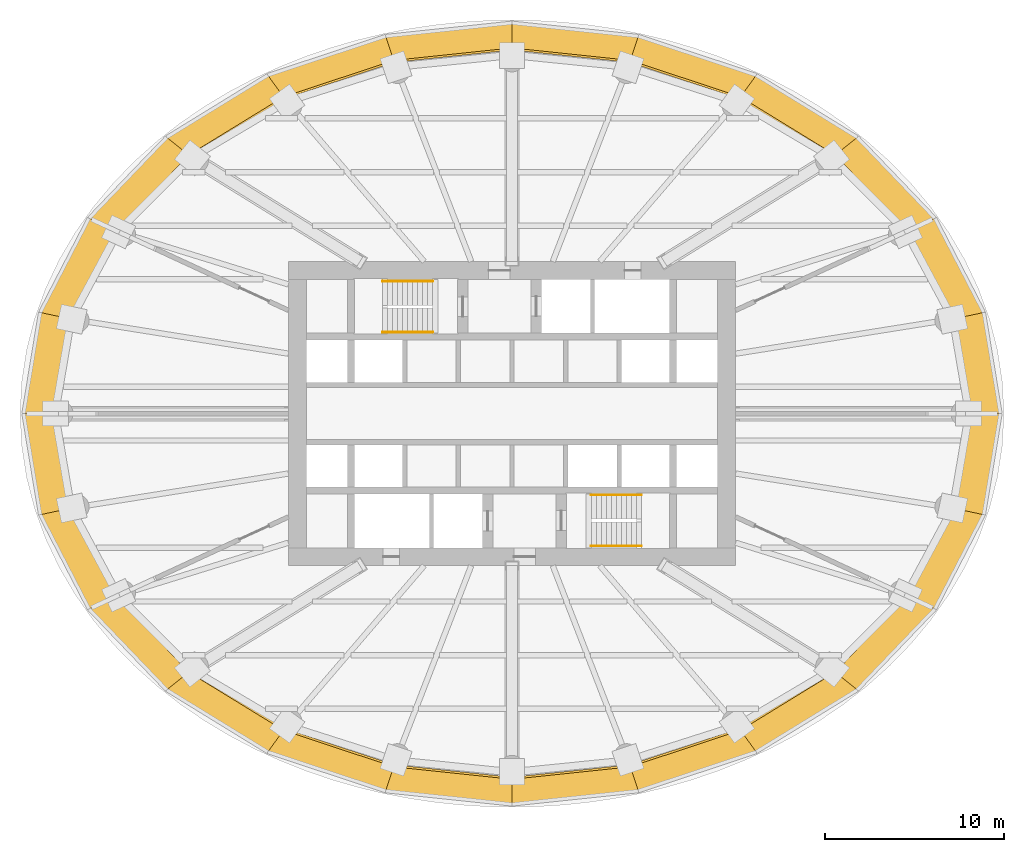
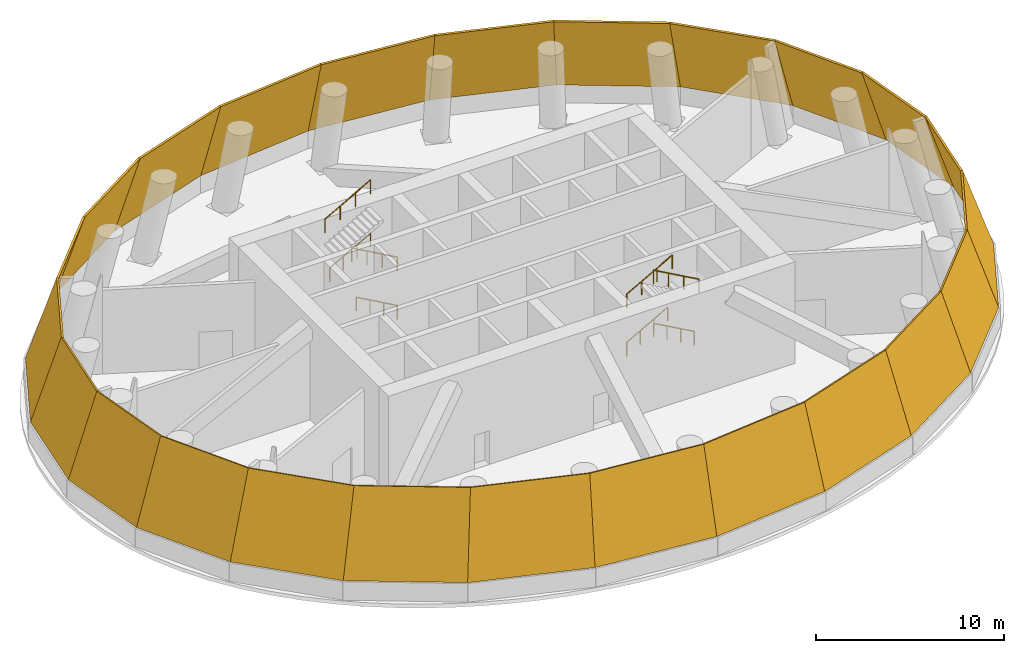
# One storey, part 7 of 7: 24 shading devices, 8 railings.
"""IFC4 building model written with IfcOpenShell, lengths in metres."""

from ifc_helpers import new_model, si_unit, direction, frame, origin, origin_2d, place, context, subcontext, project, spatial, polyline, circle, outline, extrude, material, layer, layer_set, type_object, element, save


model = new_model("IFC4")

# Units and contexts
model_context = context("Model", 3, precision=1e-05, world=origin(), true_north=direction((0.0, 1.0)))
body_context = subcontext(model_context, "Body", "Model", "MODEL_VIEW")
ifc_project = project(units=[si_unit("LENGTHUNIT", "METRE"), si_unit("AREAUNIT", "SQUARE_METRE"), si_unit("VOLUMEUNIT", "CUBIC_METRE"), si_unit("PLANEANGLEUNIT", "RADIAN"), si_unit("MASSUNIT", "GRAM", prefix="KILO")], contexts=[model_context])

# Site, building, storey
site_placement = place(None, origin())
site = spatial("IfcSite", under=ifc_project, at=site_placement, CompositionType="ELEMENT")
building_placement = place(site_placement, origin())
building = spatial("IfcBuilding", under=site, at=building_placement, Name="Hankou Lantern Tower", CompositionType="ELEMENT")
storey_placement = place(building_placement, frame((0.0, 0.0, 93.60009765625)))
storey = spatial("IfcBuildingStorey", under=building, at=storey_placement, Name="L24", CompositionType="ELEMENT", Elevation=93.60009765625)

# Railings
ifc_material_1 = material(Name="Steel handrail", Category="steel")
railing_type = type_object("IfcRailingType", Name="HR1 STAIR HANDRAIL", PredefinedType="HANDRAIL", material=ifc_material_1)
railing_1_placement = place(storey_placement, frame((-4.429931640625, 4.550048828125, 0.89990234375)))
element("IfcRailing", 1, at=railing_1_placement, inside=storey, type_object=railing_type, Name="Handrail stair STA L24 flight 1", PredefinedType="HANDRAIL", context=body_context, shape_type="SweptSolid", body=[
    extrude(circle(Radius=0.02392578125, at=origin_2d()), frame((0.0, 0.0, 0.8759765625), z_axis=(-0.872048945198, 0.0, 0.489418672692), x_axis=(0.0, -1.0, 0.0)), (0.0, 0.0, 1.0), 2.8896484375),
    extrude(circle(Radius=0.02099609375, at=origin_2d()), origin(), (0.0, 0.0, 1.0), 0.851806640625),
    extrude(circle(Radius=0.02099609375, at=origin_2d()), frame((-0.840087890625, 0.0, 0.471435546875)), (0.0, 0.0, 1.0), 0.851806640625),
    extrude(circle(Radius=0.02099609375, at=origin_2d()), frame((-1.679931640625, 0.0, 0.94287109375)), (0.0, 0.0, 1.0), 0.851806640625),
    extrude(circle(Radius=0.02099609375, at=origin_2d()), frame((-2.52001953125, 0.0, 1.414306640625)), (0.0, 0.0, 1.0), 0.851806640625),
])
railing_2_placement = place(storey_placement, frame((-6.949951171875, 7.39990234375, 2.471435546875)))
element("IfcRailing", 2, at=railing_2_placement, inside=storey, type_object=railing_type, Name="Handrail stair STA L24 flight 2", PredefinedType="HANDRAIL", context=body_context, shape_type="SweptSolid", body=[
    extrude(circle(Radius=0.02392578125, at=origin_2d()), frame((0.0, 0.0, 0.8759765625), z_axis=(0.872085002053, 0.0, 0.489354420838), x_axis=(0.0, 1.0, 0.0)), (0.0, 0.0, 1.0), 2.8896484375),
    extrude(circle(Radius=0.02099609375, at=origin_2d()), origin(), (0.0, 0.0, 1.0), 0.851806640625),
    extrude(circle(Radius=0.02099609375, at=origin_2d()), frame((0.840087890625, 0.0, 0.471435546875)), (0.0, 0.0, 1.0), 0.851806640625),
    extrude(circle(Radius=0.02099609375, at=origin_2d()), frame((1.679931640625, 0.0, 0.942626953125)), (0.0, 0.0, 1.0), 0.851806640625),
    extrude(circle(Radius=0.02099609375, at=origin_2d()), frame((2.52001953125, 0.0, 1.4140625)), (0.0, 0.0, 1.0), 0.851806640625),
])
railing_3_placement = place(storey_placement, frame((-4.429931640625, 4.550048828125, 4.042724609375)))
element("IfcRailing", 3, at=railing_3_placement, inside=storey, type_object=railing_type, Name="Handrail stair STA L24 flight 3", PredefinedType="HANDRAIL", context=body_context, shape_type="SweptSolid", body=[
    extrude(circle(Radius=0.02392578125, at=origin_2d()), frame((0.0, 0.0, 0.8759765625), z_axis=(-0.872040151574, 0.0, 0.489434340891), x_axis=(0.0, -1.0, 0.0)), (0.0, 0.0, 1.0), 3.2109375),
    extrude(circle(Radius=0.02099609375, at=origin_2d()), origin(), (0.0, 0.0, 1.0), 0.851806640625),
    extrude(circle(Radius=0.02099609375, at=origin_2d()), frame((-0.933349609375, 0.0, 0.52392578125)), (0.0, 0.0, 1.0), 0.851806640625),
    extrude(circle(Radius=0.02099609375, at=origin_2d()), frame((-1.86669921875, 0.0, 1.047607421875)), (0.0, 0.0, 1.0), 0.851806640625),
    extrude(circle(Radius=0.02099609375, at=origin_2d()), frame((-2.800048828125, 0.0, 1.571533203125)), (0.0, 0.0, 1.0), 0.851806640625),
])
railing_4_placement = place(storey_placement, frame((-7.22998046875, 7.39990234375, 5.771240234375)))
element("IfcRailing", 4, at=railing_4_placement, inside=storey, type_object=railing_type, Name="Handrail stair STA L24 flight 4", PredefinedType="HANDRAIL", context=body_context, shape_type="SweptSolid", body=[
    extrude(circle(Radius=0.02392578125, at=origin_2d()), frame((0.0, 0.0, 0.8759765625), z_axis=(0.872040151574, 0.0, 0.489434340891), x_axis=(0.0, 1.0, 0.0)), (0.0, 0.0, 1.0), 3.2109375),
    extrude(circle(Radius=0.02099609375, at=origin_2d()), origin(), (0.0, 0.0, 1.0), 0.851806640625),
    extrude(circle(Radius=0.02099609375, at=origin_2d()), frame((0.933349609375, 0.0, 0.52392578125)), (0.0, 0.0, 1.0), 0.851806640625),
    extrude(circle(Radius=0.02099609375, at=origin_2d()), frame((1.86669921875, 0.0, 1.047607421875)), (0.0, 0.0, 1.0), 0.851806640625),
    extrude(circle(Radius=0.02099609375, at=origin_2d()), frame((2.800048828125, 0.0, 1.571533203125)), (0.0, 0.0, 1.0), 0.851806640625),
])
railing_5_placement = place(storey_placement, frame((4.429931640625, -4.550048828125, 0.89990234375)))
element("IfcRailing", 5, at=railing_5_placement, inside=storey, type_object=railing_type, Name="Handrail stair STB L24 flight 1", PredefinedType="HANDRAIL", context=body_context, shape_type="SweptSolid", body=[
    extrude(circle(Radius=0.02392578125, at=origin_2d()), frame((0.0, 0.0, 0.8759765625), z_axis=(0.872048945198, 0.0, 0.489418672692), x_axis=(0.0, 1.0, 0.0)), (0.0, 0.0, 1.0), 2.8896484375),
    extrude(circle(Radius=0.02099609375, at=origin_2d()), origin(), (0.0, 0.0, 1.0), 0.851806640625),
    extrude(circle(Radius=0.02099609375, at=origin_2d()), frame((0.840087890625, 0.0, 0.471435546875)), (0.0, 0.0, 1.0), 0.851806640625),
    extrude(circle(Radius=0.02099609375, at=origin_2d()), frame((1.679931640625, 0.0, 0.94287109375)), (0.0, 0.0, 1.0), 0.851806640625),
    extrude(circle(Radius=0.02099609375, at=origin_2d()), frame((2.52001953125, 0.0, 1.414306640625)), (0.0, 0.0, 1.0), 0.851806640625),
])
railing_6_placement = place(storey_placement, frame((6.949951171875, -7.39990234375, 2.471435546875)))
element("IfcRailing", 6, at=railing_6_placement, inside=storey, type_object=railing_type, Name="Handrail stair STB L24 flight 2", PredefinedType="HANDRAIL", context=body_context, shape_type="SweptSolid", body=[
    extrude(circle(Radius=0.02392578125, at=origin_2d()), frame((0.0, 0.0, 0.8759765625), z_axis=(-0.872085002053, 0.0, 0.489354420838), x_axis=(0.0, -1.0, 0.0)), (0.0, 0.0, 1.0), 2.8896484375),
    extrude(circle(Radius=0.02099609375, at=origin_2d()), origin(), (0.0, 0.0, 1.0), 0.851806640625),
    extrude(circle(Radius=0.02099609375, at=origin_2d()), frame((-0.840087890625, 0.0, 0.471435546875)), (0.0, 0.0, 1.0), 0.851806640625),
    extrude(circle(Radius=0.02099609375, at=origin_2d()), frame((-1.679931640625, 0.0, 0.942626953125)), (0.0, 0.0, 1.0), 0.851806640625),
    extrude(circle(Radius=0.02099609375, at=origin_2d()), frame((-2.52001953125, 0.0, 1.4140625)), (0.0, 0.0, 1.0), 0.851806640625),
])
railing_7_placement = place(storey_placement, frame((4.429931640625, -4.550048828125, 4.042724609375)))
element("IfcRailing", 7, at=railing_7_placement, inside=storey, type_object=railing_type, Name="Handrail stair STB L24 flight 3", PredefinedType="HANDRAIL", context=body_context, shape_type="SweptSolid", body=[
    extrude(circle(Radius=0.02392578125, at=origin_2d()), frame((0.0, 0.0, 0.8759765625), z_axis=(0.872040151574, 0.0, 0.489434340891), x_axis=(0.0, 1.0, 0.0)), (0.0, 0.0, 1.0), 3.2109375),
    extrude(circle(Radius=0.02099609375, at=origin_2d()), origin(), (0.0, 0.0, 1.0), 0.851806640625),
    extrude(circle(Radius=0.02099609375, at=origin_2d()), frame((0.933349609375, 0.0, 0.52392578125)), (0.0, 0.0, 1.0), 0.851806640625),
    extrude(circle(Radius=0.02099609375, at=origin_2d()), frame((1.86669921875, 0.0, 1.047607421875)), (0.0, 0.0, 1.0), 0.851806640625),
    extrude(circle(Radius=0.02099609375, at=origin_2d()), frame((2.800048828125, 0.0, 1.571533203125)), (0.0, 0.0, 1.0), 0.851806640625),
])
railing_8_placement = place(storey_placement, frame((7.22998046875, -7.39990234375, 5.771240234375)))
element("IfcRailing", 8, at=railing_8_placement, inside=storey, type_object=railing_type, Name="Handrail stair STB L24 flight 4", PredefinedType="HANDRAIL", context=body_context, shape_type="SweptSolid", body=[
    extrude(circle(Radius=0.02392578125, at=origin_2d()), frame((0.0, 0.0, 0.8759765625), z_axis=(-0.872040151574, 0.0, 0.489434340891), x_axis=(0.0, -1.0, 0.0)), (0.0, 0.0, 1.0), 3.2109375),
    extrude(circle(Radius=0.02099609375, at=origin_2d()), origin(), (0.0, 0.0, 1.0), 0.851806640625),
    extrude(circle(Radius=0.02099609375, at=origin_2d()), frame((-0.933349609375, 0.0, 0.52392578125)), (0.0, 0.0, 1.0), 0.851806640625),
    extrude(circle(Radius=0.02099609375, at=origin_2d()), frame((-1.86669921875, 0.0, 1.047607421875)), (0.0, 0.0, 1.0), 0.851806640625),
    extrude(circle(Radius=0.02099609375, at=origin_2d()), frame((-2.800048828125, 0.0, 1.571533203125)), (0.0, 0.0, 1.0), 0.851806640625),
])

# Shading devices
ifc_material_2 = material(Name="Aluminium, black anodised", Category="aluminium")
ifc_layer = layer(ifc_material_2, 0.1201171875)
ifc_layer_set = layer_set([ifc_layer], Name="Aluminium, black anodised")
shading_device_type = type_object("IfcShadingDeviceType", Name="LV2 EAVE LOUVRE PANEL", PredefinedType="USERDEFINED", material=ifc_layer_set)
shading_device_1_placement = place(storey_placement, frame((27.300048828125, 0.0, 1.199951171875), z_axis=(0.935537436217, 0.153953954075, 0.317911757349), x_axis=(-0.162377638644, 0.986728687364, -1.331385e-06)))
element("IfcShadingDevice", 9, at=shading_device_1_placement, inside=storey, type_object=shading_device_type, Name="Eave louvre R01 L24", ObjectType="EAVE LOUVRE", PredefinedType="USERDEFINED", context=body_context, shape_type="SweptSolid", body=[
    extrude(outline(polyline([(0.0, 0.0), (5.7286103764079535, 0.0), (5.645595072130391, 5.43170505677616), (0.2841540111220885, 5.431689483719538), (0.0, 0.0)])), origin(), (0.0, 0.0, -1.0), 0.1201171875),
])
shading_device_2_placement = place(storey_placement, frame((26.369873046875, 5.652587890625, 1.199951171875), z_axis=(0.844828445003, 0.437432900415, 0.308086604947), x_axis=(-0.459798130331, 0.888023467789, -4.59899e-07)))
element("IfcShadingDevice", 10, at=shading_device_2_placement, inside=storey, type_object=shading_device_type, Name="Eave louvre R02 L24", ObjectType="EAVE LOUVRE", PredefinedType="USERDEFINED", context=body_context, shape_type="SweptSolid", body=[
    extrude(outline(polyline([(0.0, 0.0), (5.9315212967466096, 0.0), (6.006827402664142, 5.413212902161624), (0.4555189763445613, 5.413207351214174), (0.0, 0.0)])), origin(), (0.0, 0.0, -1.0), 0.1201171875),
])
shading_device_3_placement = place(storey_placement, frame((23.642578125, 10.919921875, 1.199951171875), z_axis=(0.690018135451, 0.661834106443, 0.293002710393), x_axis=(-0.692215568089, 0.721690797545, 5.84125e-06)))
element("IfcShadingDevice", 11, at=shading_device_3_placement, inside=storey, type_object=shading_device_type, Name="Eave louvre R03 L24", ObjectType="EAVE LOUVRE", PredefinedType="USERDEFINED", context=body_context, shape_type="SweptSolid", body=[
    extrude(outline(polyline([(0.0, 0.0), (6.267609440094087, -2.220446049250313e-16), (6.40983044135605, 5.386259141663364), (0.544020982782312, 5.386333269347155), (0.0, 0.0)])), origin(), (0.0, 0.0, -1.0), 0.1201171875),
])
shading_device_4_placement = place(storey_placement, frame((19.303955078125, 15.443115234375, 1.199951171875), z_axis=(0.502522487202, 0.818621219069, 0.278083529802), x_axis=(-0.852235404075, 0.523158499905, -4.293749e-06)))
element("IfcShadingDevice", 12, at=shading_device_4_placement, inside=storey, type_object=shading_device_type, Name="Eave louvre R04 L24", ObjectType="EAVE LOUVRE", PredefinedType="USERDEFINED", context=body_context, shape_type="SweptSolid", body=[
    extrude(outline(polyline([(0.0, 0.0), (6.634439481474628, 0.0), (6.745844756217024, 5.361401630875833), (0.536658666236663, 5.361344219076399), (0.0, 0.0)])), origin(), (0.0, 0.0, -1.0), 0.1201171875),
])
shading_device_5_placement = place(storey_placement, frame((13.64990234375, 18.9140625, 1.199951171875), z_axis=(0.303118108704, 0.914821280845, 0.266873446205), x_axis=(-0.949248999608, 0.314525574068, -4.76167e-07)))
element("IfcShadingDevice", 13, at=shading_device_5_placement, inside=storey, type_object=shading_device_type, Name="Eave louvre R05 L24", ObjectType="EAVE LOUVRE", PredefinedType="USERDEFINED", context=body_context, shape_type="SweptSolid", body=[
    extrude(outline(polyline([(0.0, 0.0), (6.936254101636316, 0.0), (6.940817015512212, 5.343713686037333), (0.44925887927222363, 5.3437070515265095), (0.0, 0.0)])), origin(), (0.0, 0.0, -1.0), 0.1201171875),
])
shading_device_6_placement = place(storey_placement, frame((7.065673828125, 21.095703125, 1.199951171875), z_axis=(0.101131288564, 0.960027567672, 0.26099718731), x_axis=(-0.994497207878, 0.104763082796, -2.541988e-06)))
element("IfcShadingDevice", 14, at=shading_device_6_placement, inside=storey, type_object=shading_device_type, Name="Eave louvre R06 L24", ObjectType="EAVE LOUVRE", PredefinedType="USERDEFINED", context=body_context, shape_type="SweptSolid", body=[
    extrude(outline(polyline([(0.0, 0.0), (7.104776936678373, 2.7755575615628914e-17), (6.958080183618709, 5.334827493529938), (0.30870507429414884, 5.334791275298002), (0.0, 0.0)])), origin(), (0.0, 0.0, -1.0), 0.1201171875),
])
shading_device_7_placement = place(storey_placement, frame((0.0, 21.840087890625, 1.199951171875), z_axis=(-0.101131288564, 0.960027567672, 0.26099718731), x_axis=(-0.994497207878, -0.104763082796, 2.541988e-06)))
element("IfcShadingDevice", 15, at=shading_device_7_placement, inside=storey, type_object=shading_device_type, Name="Eave louvre R07 L24", ObjectType="EAVE LOUVRE", PredefinedType="USERDEFINED", context=body_context, shape_type="SweptSolid", body=[
    extrude(outline(polyline([(0.0, 0.0), (7.104776936678373, -2.7755575615628914e-17), (6.796071862384225, 5.334791275298002), (0.14669675305966462, 5.334827493529938), (0.0, 0.0)])), origin(), (0.0, 0.0, -1.0), 0.1201171875),
])
shading_device_8_placement = place(storey_placement, frame((-7.065673828125, 21.095703125, 1.199951171875), z_axis=(-0.303118108704, 0.914821280845, 0.266873446205), x_axis=(-0.949248999608, -0.314525574068, 4.76167e-07)))
element("IfcShadingDevice", 16, at=shading_device_8_placement, inside=storey, type_object=shading_device_type, Name="Eave louvre R08 L24", ObjectType="EAVE LOUVRE", PredefinedType="USERDEFINED", context=body_context, shape_type="SweptSolid", body=[
    extrude(outline(polyline([(0.0, 0.0), (6.936254101636316, 0.0), (6.486995222364093, 5.3437070515265095), (-0.004562913875895548, 5.343713686037333), (0.0, 0.0)])), origin(), (0.0, 0.0, -1.0), 0.1201171875),
])
shading_device_9_placement = place(storey_placement, frame((-13.64990234375, 18.9140625, 1.199951171875), z_axis=(-0.502522487202, 0.818621219069, 0.278083529802), x_axis=(-0.852235404075, -0.523158499905, 4.293749e-06)))
element("IfcShadingDevice", 17, at=shading_device_9_placement, inside=storey, type_object=shading_device_type, Name="Eave louvre R09 L24", ObjectType="EAVE LOUVRE", PredefinedType="USERDEFINED", context=body_context, shape_type="SweptSolid", body=[
    extrude(outline(polyline([(0.0, 0.0), (6.634439481474628, 0.0), (6.0977808152379644, 5.361344219076399), (-0.1114052747423964, 5.361401630875833), (0.0, 0.0)])), origin(), (0.0, 0.0, -1.0), 0.1201171875),
])
shading_device_10_placement = place(storey_placement, frame((-19.303955078125, 15.443115234375, 1.199951171875), z_axis=(-0.690018135451, 0.661834106443, 0.293002710393), x_axis=(-0.692215568089, -0.721690797545, -5.84125e-06)))
element("IfcShadingDevice", 18, at=shading_device_10_placement, inside=storey, type_object=shading_device_type, Name="Eave louvre R10 L24", ObjectType="EAVE LOUVRE", PredefinedType="USERDEFINED", context=body_context, shape_type="SweptSolid", body=[
    extrude(outline(polyline([(0.0, 0.0), (6.267609440094087, 2.220446049250313e-16), (5.7235884573117755, 5.386333269347155), (-0.14222100126196371, 5.386259141663364), (0.0, 0.0)])), origin(), (0.0, 0.0, -1.0), 0.1201171875),
])
shading_device_11_placement = place(storey_placement, frame((-23.642578125, 10.919921875, 1.199951171875), z_axis=(-0.844828445003, 0.437432900415, 0.308086604947), x_axis=(-0.459798130331, -0.888023467789, 4.59899e-07)))
element("IfcShadingDevice", 19, at=shading_device_11_placement, inside=storey, type_object=shading_device_type, Name="Eave louvre R11 L24", ObjectType="EAVE LOUVRE", PredefinedType="USERDEFINED", context=body_context, shape_type="SweptSolid", body=[
    extrude(outline(polyline([(0.0, 0.0), (5.9315212967466096, 0.0), (5.476002320402047, 5.413207351214174), (-0.07530610591753283, 5.413212902161624), (0.0, 0.0)])), origin(), (0.0, 0.0, -1.0), 0.1201171875),
])
shading_device_12_placement = place(storey_placement, frame((-26.369873046875, 5.652587890625, 1.199951171875), z_axis=(-0.935537436217, 0.153953954075, 0.317911757349), x_axis=(-0.162377638644, -0.986728687364, 1.331385e-06)))
element("IfcShadingDevice", 20, at=shading_device_12_placement, inside=storey, type_object=shading_device_type, Name="Eave louvre R12 L24", ObjectType="EAVE LOUVRE", PredefinedType="USERDEFINED", context=body_context, shape_type="SweptSolid", body=[
    extrude(outline(polyline([(0.0, 0.0), (5.7286103764079535, 0.0), (5.444456365285864, 5.431689483719538), (0.08301530427756214, 5.431705056776161), (0.0, 0.0)])), origin(), (0.0, 0.0, -1.0), 0.1201171875),
])
shading_device_13_placement = place(storey_placement, frame((-27.300048828125, 0.0, 1.199951171875), z_axis=(-0.935537436217, -0.153953954075, 0.317911757349), x_axis=(0.162377638644, -0.986728687364, -1.331385e-06)))
element("IfcShadingDevice", 21, at=shading_device_13_placement, inside=storey, type_object=shading_device_type, Name="Eave louvre R13 L24", ObjectType="EAVE LOUVRE", PredefinedType="USERDEFINED", context=body_context, shape_type="SweptSolid", body=[
    extrude(outline(polyline([(0.0, 0.0), (5.7286103764079535, 0.0), (5.645595072130391, 5.43170505677616), (0.2841540111220885, 5.431689483719538), (0.0, 0.0)])), origin(), (0.0, 0.0, -1.0), 0.1201171875),
])
shading_device_14_placement = place(storey_placement, frame((-26.369873046875, -5.652587890625, 1.199951171875), z_axis=(-0.844828445003, -0.437432900415, 0.308086604947), x_axis=(0.459798130331, -0.888023467789, -4.59899e-07)))
element("IfcShadingDevice", 22, at=shading_device_14_placement, inside=storey, type_object=shading_device_type, Name="Eave louvre R14 L24", ObjectType="EAVE LOUVRE", PredefinedType="USERDEFINED", context=body_context, shape_type="SweptSolid", body=[
    extrude(outline(polyline([(0.0, 0.0), (5.9315212967466096, 0.0), (6.006827402664142, 5.413212902161624), (0.4555189763445613, 5.413207351214174), (0.0, 0.0)])), origin(), (0.0, 0.0, -1.0), 0.1201171875),
])
shading_device_15_placement = place(storey_placement, frame((-23.642578125, -10.919921875, 1.199951171875), z_axis=(-0.690018135451, -0.661834106443, 0.293002710393), x_axis=(0.692215568089, -0.721690797545, 5.84125e-06)))
element("IfcShadingDevice", 23, at=shading_device_15_placement, inside=storey, type_object=shading_device_type, Name="Eave louvre R15 L24", ObjectType="EAVE LOUVRE", PredefinedType="USERDEFINED", context=body_context, shape_type="SweptSolid", body=[
    extrude(outline(polyline([(0.0, 0.0), (6.267609440094087, -2.220446049250313e-16), (6.40983044135605, 5.386259141663364), (0.544020982782312, 5.386333269347155), (0.0, 0.0)])), origin(), (0.0, 0.0, -1.0), 0.1201171875),
])
shading_device_16_placement = place(storey_placement, frame((-19.303955078125, -15.443115234375, 1.199951171875), z_axis=(-0.502522487202, -0.818621219069, 0.278083529802), x_axis=(0.852235404075, -0.523158499905, -4.293749e-06)))
element("IfcShadingDevice", 24, at=shading_device_16_placement, inside=storey, type_object=shading_device_type, Name="Eave louvre R16 L24", ObjectType="EAVE LOUVRE", PredefinedType="USERDEFINED", context=body_context, shape_type="SweptSolid", body=[
    extrude(outline(polyline([(0.0, 0.0), (6.634439481474628, 0.0), (6.745844756217024, 5.361401630875833), (0.536658666236663, 5.361344219076399), (0.0, 0.0)])), origin(), (0.0, 0.0, -1.0), 0.1201171875),
])
shading_device_17_placement = place(storey_placement, frame((-13.64990234375, -18.9140625, 1.199951171875), z_axis=(-0.303118108704, -0.914821280845, 0.266873446205), x_axis=(0.949248999608, -0.314525574068, -4.76167e-07)))
element("IfcShadingDevice", 25, at=shading_device_17_placement, inside=storey, type_object=shading_device_type, Name="Eave louvre R17 L24", ObjectType="EAVE LOUVRE", PredefinedType="USERDEFINED", context=body_context, shape_type="SweptSolid", body=[
    extrude(outline(polyline([(0.0, 0.0), (6.936254101636316, 0.0), (6.940817015512212, 5.343713686037333), (0.44925887927222363, 5.3437070515265095), (0.0, 0.0)])), origin(), (0.0, 0.0, -1.0), 0.1201171875),
])
shading_device_18_placement = place(storey_placement, frame((-7.065673828125, -21.095703125, 1.199951171875), z_axis=(-0.101131288564, -0.960027567672, 0.26099718731), x_axis=(0.994497207878, -0.104763082796, -2.541988e-06)))
element("IfcShadingDevice", 26, at=shading_device_18_placement, inside=storey, type_object=shading_device_type, Name="Eave louvre R18 L24", ObjectType="EAVE LOUVRE", PredefinedType="USERDEFINED", context=body_context, shape_type="SweptSolid", body=[
    extrude(outline(polyline([(0.0, 0.0), (7.104776936678373, 2.7755575615628914e-17), (6.958080183618709, 5.334827493529938), (0.30870507429414884, 5.334791275298002), (0.0, 0.0)])), origin(), (0.0, 0.0, -1.0), 0.1201171875),
])
shading_device_19_placement = place(storey_placement, frame((0.0, -21.840087890625, 1.199951171875), z_axis=(0.101131288564, -0.960027567672, 0.26099718731), x_axis=(0.994497207878, 0.104763082796, 2.541988e-06)))
element("IfcShadingDevice", 27, at=shading_device_19_placement, inside=storey, type_object=shading_device_type, Name="Eave louvre R19 L24", ObjectType="EAVE LOUVRE", PredefinedType="USERDEFINED", context=body_context, shape_type="SweptSolid", body=[
    extrude(outline(polyline([(0.0, 0.0), (7.104776936678373, -2.7755575615628914e-17), (6.796071862384225, 5.334791275298002), (0.14669675305966462, 5.334827493529938), (0.0, 0.0)])), origin(), (0.0, 0.0, -1.0), 0.1201171875),
])
shading_device_20_placement = place(storey_placement, frame((7.065673828125, -21.095703125, 1.199951171875), z_axis=(0.303118108704, -0.914821280845, 0.266873446205), x_axis=(0.949248999608, 0.314525574068, 4.76167e-07)))
element("IfcShadingDevice", 28, at=shading_device_20_placement, inside=storey, type_object=shading_device_type, Name="Eave louvre R20 L24", ObjectType="EAVE LOUVRE", PredefinedType="USERDEFINED", context=body_context, shape_type="SweptSolid", body=[
    extrude(outline(polyline([(0.0, 0.0), (6.936254101636316, 0.0), (6.486995222364093, 5.3437070515265095), (-0.004562913875895548, 5.343713686037333), (0.0, 0.0)])), origin(), (0.0, 0.0, -1.0), 0.1201171875),
])
shading_device_21_placement = place(storey_placement, frame((13.64990234375, -18.9140625, 1.199951171875), z_axis=(0.502522487202, -0.818621219069, 0.278083529802), x_axis=(0.852235404075, 0.523158499905, 4.293749e-06)))
element("IfcShadingDevice", 29, at=shading_device_21_placement, inside=storey, type_object=shading_device_type, Name="Eave louvre R21 L24", ObjectType="EAVE LOUVRE", PredefinedType="USERDEFINED", context=body_context, shape_type="SweptSolid", body=[
    extrude(outline(polyline([(0.0, 0.0), (6.634439481474628, 0.0), (6.0977808152379644, 5.361344219076399), (-0.1114052747423964, 5.361401630875833), (0.0, 0.0)])), origin(), (0.0, 0.0, -1.0), 0.1201171875),
])
shading_device_22_placement = place(storey_placement, frame((19.303955078125, -15.443115234375, 1.199951171875), z_axis=(0.690018135451, -0.661834106443, 0.293002710393), x_axis=(0.692215568089, 0.721690797545, -5.84125e-06)))
element("IfcShadingDevice", 30, at=shading_device_22_placement, inside=storey, type_object=shading_device_type, Name="Eave louvre R22 L24", ObjectType="EAVE LOUVRE", PredefinedType="USERDEFINED", context=body_context, shape_type="SweptSolid", body=[
    extrude(outline(polyline([(0.0, 0.0), (6.267609440094087, 2.220446049250313e-16), (5.7235884573117755, 5.386333269347155), (-0.14222100126196371, 5.386259141663364), (0.0, 0.0)])), origin(), (0.0, 0.0, -1.0), 0.1201171875),
])
shading_device_23_placement = place(storey_placement, frame((23.642578125, -10.919921875, 1.199951171875), z_axis=(0.844828445003, -0.437432900415, 0.308086604947), x_axis=(0.459798130331, 0.888023467789, 4.59899e-07)))
element("IfcShadingDevice", 31, at=shading_device_23_placement, inside=storey, type_object=shading_device_type, Name="Eave louvre R23 L24", ObjectType="EAVE LOUVRE", PredefinedType="USERDEFINED", context=body_context, shape_type="SweptSolid", body=[
    extrude(outline(polyline([(0.0, 0.0), (5.9315212967466096, 0.0), (5.476002320402047, 5.413207351214174), (-0.07530610591753283, 5.413212902161624), (0.0, 0.0)])), origin(), (0.0, 0.0, -1.0), 0.1201171875),
])
shading_device_24_placement = place(storey_placement, frame((26.369873046875, -5.652587890625, 1.199951171875), z_axis=(0.935537436217, -0.153953954075, 0.317911757349), x_axis=(0.162377638644, 0.986728687364, 1.331385e-06)))
element("IfcShadingDevice", 32, at=shading_device_24_placement, inside=storey, type_object=shading_device_type, Name="Eave louvre R24 L24", ObjectType="EAVE LOUVRE", PredefinedType="USERDEFINED", context=body_context, shape_type="SweptSolid", body=[
    extrude(outline(polyline([(0.0, 0.0), (5.7286103764079535, 0.0), (5.444456365285864, 5.431689483719538), (0.08301530427756214, 5.431705056776161), (0.0, 0.0)])), origin(), (0.0, 0.0, -1.0), 0.1201171875),
])

save(model, "model.ifc")
